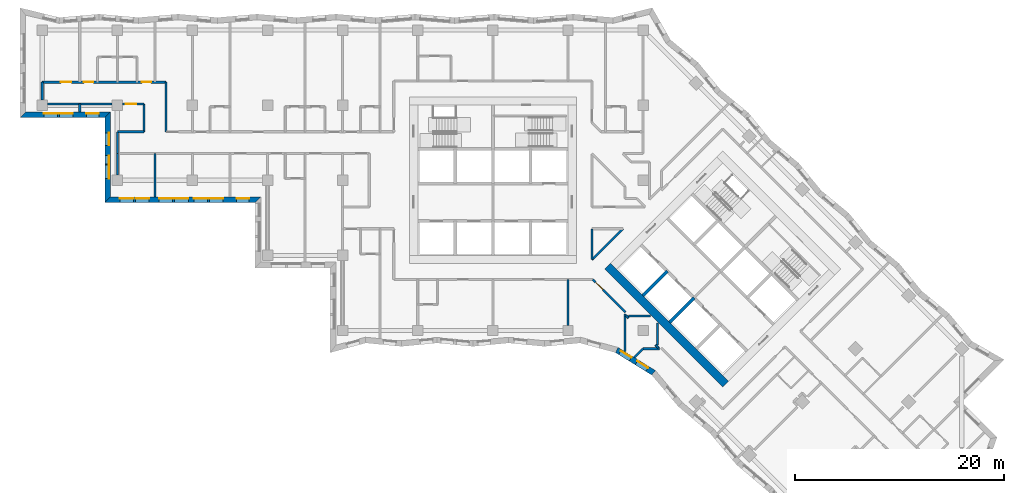
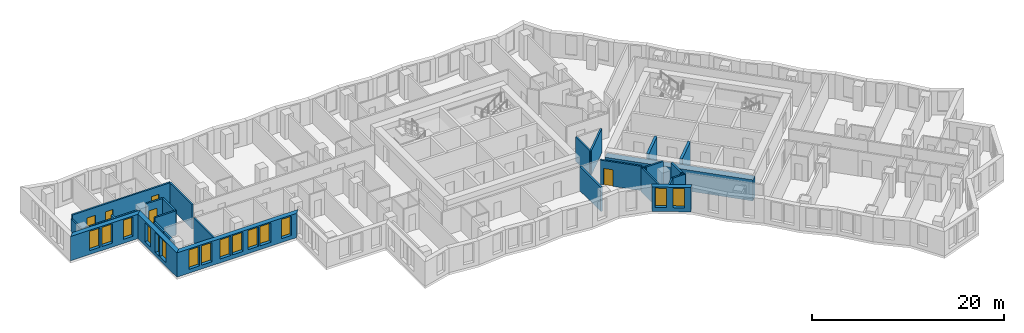
# One storey, part 3 of 12: 29 walls, 15 windows, 5 doors, 20 openings.
"""IFC4 building model written with IfcOpenShell, lengths in metres."""

from ifc_helpers import new_model, si_unit, direction, frame, frame_2d, origin, place, context, subcontext, project, spatial, polyline, rectangle, outline, extrude, material, layer, layer_set, type_object, element, fill, save


model = new_model("IFC4")

# Units and contexts
model_context = context("Model", 3, precision=1e-05, world=origin(), true_north=direction((0.0, 1.0)))
body_context = subcontext(model_context, "Body", "Model", "MODEL_VIEW")
ifc_project = project(units=[si_unit("LENGTHUNIT", "METRE"), si_unit("AREAUNIT", "SQUARE_METRE"), si_unit("VOLUMEUNIT", "CUBIC_METRE"), si_unit("PLANEANGLEUNIT", "RADIAN"), si_unit("MASSUNIT", "GRAM", prefix="KILO")], contexts=[model_context])

# Site, building, storey
site_placement = place(None, origin())
site = spatial("IfcSite", under=ifc_project, at=site_placement, CompositionType="ELEMENT")
building_placement = place(site_placement, origin())
building = spatial("IfcBuilding", under=site, at=building_placement, Name="Windrow Commons", CompositionType="ELEMENT")
storey_placement = place(building_placement, frame((0.0, 0.0, 84.6)))
storey = spatial("IfcBuildingStorey", under=building, at=storey_placement, Name="L22", CompositionType="ELEMENT", Elevation=84.6)

# Wall, openings, windows
ifc_material_1 = material(Name="Brick masonry, red clay brick", Category="masonry")
ifc_layer_1 = layer(ifc_material_1, 0.55)
ifc_layer_set_1 = layer_set([ifc_layer_1], Name="Brick facade wall 550")
wall_type_1 = type_object("IfcWallType", Name="Brick facade wall 550", PredefinedType="SOLIDWALL", material=ifc_layer_set_1)
wall_1_placement = place(storey_placement, frame((19.745, 63.875, 0.0), z_axis=(0.0, 0.0, 1.0), x_axis=(1.0, 0.0, 0.0)))
wall_1 = element("IfcWall", 1, at=wall_1_placement, inside=storey, type_object=wall_type_1, Name="Brick facade wall L22 38", PredefinedType="SOLIDWALL", context=body_context, shape_type="SweptSolid", body=[
    extrude(outline(polyline([(-0.275, -0.275), (7.855, -0.275), (8.405, 0.275), (0.275, 0.275), (-0.275, -0.275)])), origin(), (0.0, 0.0, 1.0), 3.1),
])
opening_1_placement = place(wall_1_placement, frame((2.005, 0.0, 0.5)))
opening_1 = element("IfcOpeningElement", 2, at=opening_1_placement, cuts=wall_1, Name="Opening W1P", PredefinedType="OPENING", context=body_context, shape_type="SweptSolid", body=[
    extrude(rectangle(XDim=1.3, YDim=2.45, at=frame_2d((0.65, 1.225))), frame((0.0, 0.285, 0.0), z_axis=(0.0, -1.0, 0.0), x_axis=(1.0, 0.0, 0.0)), (0.0, 0.0, 1.0), 0.57),
])
opening_2_placement = place(wall_1_placement, frame((3.505, 0.0, 0.5)))
opening_2 = element("IfcOpeningElement", 3, at=opening_2_placement, cuts=wall_1, Name="Opening W1P", PredefinedType="OPENING", context=body_context, shape_type="SweptSolid", body=[
    extrude(rectangle(XDim=1.3, YDim=2.45, at=frame_2d((0.65, 1.225))), frame((0.0, 0.285, 0.0), z_axis=(0.0, -1.0, 0.0), x_axis=(1.0, 0.0, 0.0)), (0.0, 0.0, 1.0), 0.57),
])
opening_3_placement = place(wall_1_placement, frame((6.0925, 0.0, 0.5)))
opening_3 = element("IfcOpeningElement", 4, at=opening_3_placement, cuts=wall_1, Name="Opening W7D", PredefinedType="OPENING", context=body_context, shape_type="SweptSolid", body=[
    extrude(rectangle(XDim=1.2, YDim=2.45, at=frame_2d((0.6, 1.225))), frame((0.0, 0.285, 0.0), z_axis=(0.0, -1.0, 0.0), x_axis=(1.0, 0.0, 0.0)), (0.0, 0.0, 1.0), 0.57),
])
ifc_material_2 = material(Name="Clear float glass in anodised aluminium frame", Category="aluminium")
window_type_1 = type_object("IfcWindowType", Name="Window W1P pair 1300x2450", PartitioningType="SINGLE_PANEL", PredefinedType="WINDOW", material=ifc_material_2)
window_1_placement = place(opening_1_placement, origin())
window_1 = element("IfcWindow", 5, at=window_1_placement, inside=storey, type_object=window_type_1, Name="Window L22 38.1A", OverallHeight=2.45, OverallWidth=1.3, PartitioningType="SINGLE_PANEL", PredefinedType="WINDOW", context=body_context, shape_type="SweptSolid", body=[
    extrude(rectangle(XDim=1.3, YDim=2.45, at=frame_2d((0.65, 1.225))), frame((0.0, 0.155, 0.0), z_axis=(0.0, -1.0, 0.0), x_axis=(1.0, 0.0, 0.0)), (0.0, 0.0, 1.0), 0.06),
])
fill(opening_1, window_1)
window_2_placement = place(opening_2_placement, origin())
window_2 = element("IfcWindow", 6, at=window_2_placement, inside=storey, type_object=window_type_1, Name="Window L22 38.1B", OverallHeight=2.45, OverallWidth=1.3, PartitioningType="SINGLE_PANEL", PredefinedType="WINDOW", context=body_context, shape_type="SweptSolid", body=[
    extrude(rectangle(XDim=1.3, YDim=2.45, at=frame_2d((0.65, 1.225))), frame((0.0, 0.155, 0.0), z_axis=(0.0, -1.0, 0.0), x_axis=(1.0, 0.0, 0.0)), (0.0, 0.0, 1.0), 0.06),
])
fill(opening_2, window_2)
ifc_material_3 = material(Name="Clear float glass in anodised aluminium frame", Category="aluminium")
window_type_2 = type_object("IfcWindowType", Name="Window W7 notch 1200x2450", PartitioningType="SINGLE_PANEL", PredefinedType="WINDOW", material=ifc_material_3)
window_3_placement = place(opening_3_placement, origin())
window_3 = element("IfcWindow", 7, at=window_3_placement, inside=storey, type_object=window_type_2, Name="Window L22 38.2", OverallHeight=2.45, OverallWidth=1.2, PartitioningType="SINGLE_PANEL", PredefinedType="WINDOW", context=body_context, shape_type="SweptSolid", body=[
    extrude(rectangle(XDim=1.2, YDim=2.45, at=frame_2d((0.6, 1.225))), frame((0.0, 0.155, 0.0), z_axis=(0.0, -1.0, 0.0), x_axis=(1.0, 0.0, 0.0)), (0.0, 0.0, 1.0), 0.06),
])
fill(opening_3, window_3)

wall_2_placement = place(storey_placement, frame((27.875, 63.875, 0.0), z_axis=(0.0, 0.0, 1.0), x_axis=(0.0, -1.0, 0.0)))
wall_2 = element("IfcWall", 8, at=wall_2_placement, inside=storey, type_object=wall_type_1, Name="Brick facade wall L22 39", PredefinedType="SOLIDWALL", context=body_context, shape_type="SweptSolid", body=[
    extrude(outline(polyline([(0.275, -0.275), (8.405, -0.275), (7.855, 0.275), (-0.275, 0.275), (0.275, -0.275)])), origin(), (0.0, 0.0, 1.0), 3.1),
])
opening_4_placement = place(wall_2_placement, frame((4.825, 0.0, 0.5)))
opening_4 = element("IfcOpeningElement", 9, at=opening_4_placement, cuts=wall_2, Name="Opening W1P", PredefinedType="OPENING", context=body_context, shape_type="SweptSolid", body=[
    extrude(rectangle(XDim=1.3, YDim=2.45, at=frame_2d((0.65, 1.225))), frame((0.0, 0.285, 0.0), z_axis=(0.0, -1.0, 0.0), x_axis=(1.0, 0.0, 0.0)), (0.0, 0.0, 1.0), 0.57),
])
opening_5_placement = place(wall_2_placement, frame((1.7375, 0.0, 0.5)))
opening_5 = element("IfcOpeningElement", 10, at=opening_5_placement, cuts=wall_2, Name="Opening W7D", PredefinedType="OPENING", context=body_context, shape_type="SweptSolid", body=[
    extrude(rectangle(XDim=1.2, YDim=2.45, at=frame_2d((0.6, 1.225))), frame((0.0, 0.285, 0.0), z_axis=(0.0, -1.0, 0.0), x_axis=(1.0, 0.0, 0.0)), (0.0, 0.0, 1.0), 0.57),
])
opening_6_placement = place(wall_2_placement, frame((3.9, 0.0, 0.45)))
opening_6 = element("IfcOpeningElement", 11, at=opening_6_placement, cuts=wall_2, Name="Opening W1N", PredefinedType="OPENING", context=body_context, shape_type="SweptSolid", body=[
    extrude(rectangle(XDim=0.8, YDim=2.5, at=frame_2d((0.4, 1.25))), frame((0.0, 0.285, 0.0), z_axis=(0.0, -1.0, 0.0), x_axis=(1.0, 0.0, 0.0)), (0.0, 0.0, 1.0), 0.57),
])
ifc_material_4 = material(Name="Clear float glass in anodised aluminium frame", Category="aluminium")
window_type_3 = type_object("IfcWindowType", Name="Window W1N slit 800x2500", PartitioningType="SINGLE_PANEL", PredefinedType="WINDOW", material=ifc_material_4)
window_4_placement = place(opening_6_placement, origin())
window_4 = element("IfcWindow", 12, at=window_4_placement, inside=storey, type_object=window_type_3, Name="Window L22 39.1AA", OverallHeight=2.5, OverallWidth=0.8, PartitioningType="SINGLE_PANEL", PredefinedType="WINDOW", context=body_context, shape_type="SweptSolid", body=[
    extrude(rectangle(XDim=0.8, YDim=2.5, at=frame_2d((0.4, 1.25))), frame((0.0, 0.155, 0.0), z_axis=(0.0, -1.0, 0.0), x_axis=(1.0, 0.0, 0.0)), (0.0, 0.0, 1.0), 0.06),
])
fill(opening_6, window_4)
window_5_placement = place(opening_4_placement, origin())
window_5 = element("IfcWindow", 13, at=window_5_placement, inside=storey, type_object=window_type_1, Name="Window L22 39.1B", OverallHeight=2.45, OverallWidth=1.3, PartitioningType="SINGLE_PANEL", PredefinedType="WINDOW", context=body_context, shape_type="SweptSolid", body=[
    extrude(rectangle(XDim=1.3, YDim=2.45, at=frame_2d((0.65, 1.225))), frame((0.0, 0.155, 0.0), z_axis=(0.0, -1.0, 0.0), x_axis=(1.0, 0.0, 0.0)), (0.0, 0.0, 1.0), 0.06),
])
fill(opening_4, window_5)
window_6_placement = place(opening_5_placement, origin())
window_6 = element("IfcWindow", 14, at=window_6_placement, inside=storey, type_object=window_type_2, Name="Window L22 39.2", OverallHeight=2.45, OverallWidth=1.2, PartitioningType="SINGLE_PANEL", PredefinedType="WINDOW", context=body_context, shape_type="SweptSolid", body=[
    extrude(rectangle(XDim=1.2, YDim=2.45, at=frame_2d((0.6, 1.225))), frame((0.0, 0.155, 0.0), z_axis=(0.0, -1.0, 0.0), x_axis=(1.0, 0.0, 0.0)), (0.0, 0.0, 1.0), 0.06),
])
fill(opening_5, window_6)

wall_3_placement = place(storey_placement, frame((27.875, 55.745, 0.0), z_axis=(0.0, 0.0, 1.0), x_axis=(1.0, 0.0, 0.0)))
wall_3 = element("IfcWall", 15, at=wall_3_placement, inside=storey, type_object=wall_type_1, Name="Brick facade wall L22 40", PredefinedType="SOLIDWALL", context=body_context, shape_type="SweptSolid", body=[
    extrude(outline(polyline([(-0.275, -0.275), (14.125, -0.275), (14.675, 0.275), (0.275, 0.275), (-0.275, -0.275)])), origin(), (0.0, 0.0, 1.0), 3.1),
])
opening_7_placement = place(wall_3_placement, frame((1.175, 0.0, 0.5)))
opening_7 = element("IfcOpeningElement", 16, at=opening_7_placement, cuts=wall_3, Name="Opening W1P", PredefinedType="OPENING", context=body_context, shape_type="SweptSolid", body=[
    extrude(rectangle(XDim=1.3, YDim=2.45, at=frame_2d((0.65, 1.225))), frame((0.0, 0.285, 0.0), z_axis=(0.0, -1.0, 0.0), x_axis=(1.0, 0.0, 0.0)), (0.0, 0.0, 1.0), 0.57),
])
opening_8_placement = place(wall_3_placement, frame((2.675, 0.0, 0.5)))
opening_8 = element("IfcOpeningElement", 17, at=opening_8_placement, cuts=wall_3, Name="Opening W1P", PredefinedType="OPENING", context=body_context, shape_type="SweptSolid", body=[
    extrude(rectangle(XDim=1.3, YDim=2.45, at=frame_2d((0.65, 1.225))), frame((0.0, 0.285, 0.0), z_axis=(0.0, -1.0, 0.0), x_axis=(1.0, 0.0, 0.0)), (0.0, 0.0, 1.0), 0.57),
])
opening_9_placement = place(wall_3_placement, frame((4.925, 0.0, 0.5)))
opening_9 = element("IfcOpeningElement", 18, at=opening_9_placement, cuts=wall_3, Name="Opening W1P", PredefinedType="OPENING", context=body_context, shape_type="SweptSolid", body=[
    extrude(rectangle(XDim=1.3, YDim=2.45, at=frame_2d((0.65, 1.225))), frame((0.0, 0.285, 0.0), z_axis=(0.0, -1.0, 0.0), x_axis=(1.0, 0.0, 0.0)), (0.0, 0.0, 1.0), 0.57),
])
opening_10_placement = place(wall_3_placement, frame((6.425, 0.0, 0.5)))
opening_10 = element("IfcOpeningElement", 19, at=opening_10_placement, cuts=wall_3, Name="Opening W1P", PredefinedType="OPENING", context=body_context, shape_type="SweptSolid", body=[
    extrude(rectangle(XDim=1.3, YDim=2.45, at=frame_2d((0.65, 1.225))), frame((0.0, 0.285, 0.0), z_axis=(0.0, -1.0, 0.0), x_axis=(1.0, 0.0, 0.0)), (0.0, 0.0, 1.0), 0.57),
])
opening_11_placement = place(wall_3_placement, frame((8.275, 0.0, 0.5)))
opening_11 = element("IfcOpeningElement", 20, at=opening_11_placement, cuts=wall_3, Name="Opening W1P", PredefinedType="OPENING", context=body_context, shape_type="SweptSolid", body=[
    extrude(rectangle(XDim=1.3, YDim=2.45, at=frame_2d((0.65, 1.225))), frame((0.0, 0.285, 0.0), z_axis=(0.0, -1.0, 0.0), x_axis=(1.0, 0.0, 0.0)), (0.0, 0.0, 1.0), 0.57),
])
opening_12_placement = place(wall_3_placement, frame((9.775, 0.0, 0.5)))
opening_12 = element("IfcOpeningElement", 21, at=opening_12_placement, cuts=wall_3, Name="Opening W1P", PredefinedType="OPENING", context=body_context, shape_type="SweptSolid", body=[
    extrude(rectangle(XDim=1.3, YDim=2.45, at=frame_2d((0.65, 1.225))), frame((0.0, 0.285, 0.0), z_axis=(0.0, -1.0, 0.0), x_axis=(1.0, 0.0, 0.0)), (0.0, 0.0, 1.0), 0.57),
])
opening_13_placement = place(wall_3_placement, frame((12.3625, 0.0, 0.5)))
opening_13 = element("IfcOpeningElement", 22, at=opening_13_placement, cuts=wall_3, Name="Opening W7D", PredefinedType="OPENING", context=body_context, shape_type="SweptSolid", body=[
    extrude(rectangle(XDim=1.2, YDim=2.45, at=frame_2d((0.6, 1.225))), frame((0.0, 0.285, 0.0), z_axis=(0.0, -1.0, 0.0), x_axis=(1.0, 0.0, 0.0)), (0.0, 0.0, 1.0), 0.57),
])
window_7_placement = place(opening_7_placement, origin())
window_7 = element("IfcWindow", 23, at=window_7_placement, inside=storey, type_object=window_type_1, Name="Window L22 40.1A", OverallHeight=2.45, OverallWidth=1.3, PartitioningType="SINGLE_PANEL", PredefinedType="WINDOW", context=body_context, shape_type="SweptSolid", body=[
    extrude(rectangle(XDim=1.3, YDim=2.45, at=frame_2d((0.65, 1.225))), frame((0.0, 0.155, 0.0), z_axis=(0.0, -1.0, 0.0), x_axis=(1.0, 0.0, 0.0)), (0.0, 0.0, 1.0), 0.06),
])
fill(opening_7, window_7)
window_8_placement = place(opening_8_placement, origin())
window_8 = element("IfcWindow", 24, at=window_8_placement, inside=storey, type_object=window_type_1, Name="Window L22 40.1B", OverallHeight=2.45, OverallWidth=1.3, PartitioningType="SINGLE_PANEL", PredefinedType="WINDOW", context=body_context, shape_type="SweptSolid", body=[
    extrude(rectangle(XDim=1.3, YDim=2.45, at=frame_2d((0.65, 1.225))), frame((0.0, 0.155, 0.0), z_axis=(0.0, -1.0, 0.0), x_axis=(1.0, 0.0, 0.0)), (0.0, 0.0, 1.0), 0.06),
])
fill(opening_8, window_8)
window_9_placement = place(opening_9_placement, origin())
window_9 = element("IfcWindow", 25, at=window_9_placement, inside=storey, type_object=window_type_1, Name="Window L22 40.2A", OverallHeight=2.45, OverallWidth=1.3, PartitioningType="SINGLE_PANEL", PredefinedType="WINDOW", context=body_context, shape_type="SweptSolid", body=[
    extrude(rectangle(XDim=1.3, YDim=2.45, at=frame_2d((0.65, 1.225))), frame((0.0, 0.155, 0.0), z_axis=(0.0, -1.0, 0.0), x_axis=(1.0, 0.0, 0.0)), (0.0, 0.0, 1.0), 0.06),
])
fill(opening_9, window_9)
window_10_placement = place(opening_10_placement, origin())
window_10 = element("IfcWindow", 26, at=window_10_placement, inside=storey, type_object=window_type_1, Name="Window L22 40.2B", OverallHeight=2.45, OverallWidth=1.3, PartitioningType="SINGLE_PANEL", PredefinedType="WINDOW", context=body_context, shape_type="SweptSolid", body=[
    extrude(rectangle(XDim=1.3, YDim=2.45, at=frame_2d((0.65, 1.225))), frame((0.0, 0.155, 0.0), z_axis=(0.0, -1.0, 0.0), x_axis=(1.0, 0.0, 0.0)), (0.0, 0.0, 1.0), 0.06),
])
fill(opening_10, window_10)
window_11_placement = place(opening_11_placement, origin())
window_11 = element("IfcWindow", 27, at=window_11_placement, inside=storey, type_object=window_type_1, Name="Window L22 40.3A", OverallHeight=2.45, OverallWidth=1.3, PartitioningType="SINGLE_PANEL", PredefinedType="WINDOW", context=body_context, shape_type="SweptSolid", body=[
    extrude(rectangle(XDim=1.3, YDim=2.45, at=frame_2d((0.65, 1.225))), frame((0.0, 0.155, 0.0), z_axis=(0.0, -1.0, 0.0), x_axis=(1.0, 0.0, 0.0)), (0.0, 0.0, 1.0), 0.06),
])
fill(opening_11, window_11)
window_12_placement = place(opening_12_placement, origin())
window_12 = element("IfcWindow", 28, at=window_12_placement, inside=storey, type_object=window_type_1, Name="Window L22 40.3B", OverallHeight=2.45, OverallWidth=1.3, PartitioningType="SINGLE_PANEL", PredefinedType="WINDOW", context=body_context, shape_type="SweptSolid", body=[
    extrude(rectangle(XDim=1.3, YDim=2.45, at=frame_2d((0.65, 1.225))), frame((0.0, 0.155, 0.0), z_axis=(0.0, -1.0, 0.0), x_axis=(1.0, 0.0, 0.0)), (0.0, 0.0, 1.0), 0.06),
])
fill(opening_12, window_12)
window_13_placement = place(opening_13_placement, origin())
window_13 = element("IfcWindow", 29, at=window_13_placement, inside=storey, type_object=window_type_2, Name="Window L22 40.4", OverallHeight=2.45, OverallWidth=1.2, PartitioningType="SINGLE_PANEL", PredefinedType="WINDOW", context=body_context, shape_type="SweptSolid", body=[
    extrude(rectangle(XDim=1.2, YDim=2.45, at=frame_2d((0.6, 1.225))), frame((0.0, 0.155, 0.0), z_axis=(0.0, -1.0, 0.0), x_axis=(1.0, 0.0, 0.0)), (0.0, 0.0, 1.0), 0.06),
])
fill(opening_13, window_13)

wall_4_placement = place(storey_placement, frame((76.6814, 41.3249, 0.0), z_axis=(0.0, 0.0, 1.0), x_axis=(0.8503819746, -0.5261658458, 0.0)))
wall_4 = element("IfcWall", 30, at=wall_4_placement, inside=storey, type_object=wall_type_1, Name="Brick facade wall L22 52", PredefinedType="SOLIDWALL", context=body_context, shape_type="SweptSolid", body=[
    extrude(outline(polyline([(0.04, -0.275), (4.0966, -0.275), (4.1838, 0.275), (-0.04, 0.275), (0.04, -0.275)])), origin(), (0.0, 0.0, 1.0), 3.1),
])
opening_14_placement = place(wall_4_placement, frame((0.3683, 0.0, 0.5)))
opening_14 = element("IfcOpeningElement", 31, at=opening_14_placement, cuts=wall_4, Name="Opening W7D", PredefinedType="OPENING", context=body_context, shape_type="SweptSolid", body=[
    extrude(rectangle(XDim=1.2, YDim=2.45, at=frame_2d((0.6, 1.225))), frame((0.0, 0.285, 0.0), z_axis=(0.0, -1.0, 0.0), x_axis=(1.0, 0.0, 0.0)), (0.0, 0.0, 1.0), 0.57),
])
opening_15_placement = place(wall_4_placement, frame((2.2384, 0.0, 0.5)))
opening_15 = element("IfcOpeningElement", 32, at=opening_15_placement, cuts=wall_4, Name="Opening W7D", PredefinedType="OPENING", context=body_context, shape_type="SweptSolid", body=[
    extrude(rectangle(XDim=1.2, YDim=2.45, at=frame_2d((0.6, 1.225))), frame((0.0, 0.285, 0.0), z_axis=(0.0, -1.0, 0.0), x_axis=(1.0, 0.0, 0.0)), (0.0, 0.0, 1.0), 0.57),
])
window_14_placement = place(opening_14_placement, origin())
window_14 = element("IfcWindow", 33, at=window_14_placement, inside=storey, type_object=window_type_2, Name="Window L22 52.1", OverallHeight=2.45, OverallWidth=1.2, PartitioningType="SINGLE_PANEL", PredefinedType="WINDOW", context=body_context, shape_type="SweptSolid", body=[
    extrude(rectangle(XDim=1.2, YDim=2.45, at=frame_2d((0.6, 1.225))), frame((0.0, 0.155, 0.0), z_axis=(0.0, -1.0, 0.0), x_axis=(1.0, 0.0, 0.0)), (0.0, 0.0, 1.0), 0.06),
])
fill(opening_14, window_14)
window_15_placement = place(opening_15_placement, origin())
window_15 = element("IfcWindow", 34, at=window_15_placement, inside=storey, type_object=window_type_2, Name="Window L22 52.2", OverallHeight=2.45, OverallWidth=1.2, PartitioningType="SINGLE_PANEL", PredefinedType="WINDOW", context=body_context, shape_type="SweptSolid", body=[
    extrude(rectangle(XDim=1.2, YDim=2.45, at=frame_2d((0.6, 1.225))), frame((0.0, 0.155, 0.0), z_axis=(0.0, -1.0, 0.0), x_axis=(1.0, 0.0, 0.0)), (0.0, 0.0, 1.0), 0.06),
])
fill(opening_15, window_15)

# Wall, openings, doors
ifc_material_5 = material(Name="Blockwork partition", Category="masonry")
ifc_layer_2 = layer(ifc_material_5, 0.2)
ifc_layer_set_2 = layer_set([ifc_layer_2], Name="IW-CORRIDOR-200")
wall_type_2 = type_object("IfcWallType", Name="IW-CORRIDOR-200", PredefinedType="PARTITIONING", material=ifc_layer_set_2)
wall_5_placement = place(storey_placement, frame((21.602, 67.0, 0.0), z_axis=(0.0, 0.0, 1.0), x_axis=(1.0, 0.0, 0.0)))
wall_5 = element("IfcWall", 35, at=wall_5_placement, inside=storey, type_object=wall_type_2, Name="W-L22-W005", PredefinedType="PARTITIONING", context=body_context, shape_type="SweptSolid", body=[
    extrude(rectangle(XDim=11.848, YDim=0.2, at=frame_2d((5.924, 0.0))), origin(), (0.0, 0.0, 1.0), 3.1),
])
opening_16_placement = place(wall_5_placement, frame((1.7907, 0.0, 0.0)))
opening_16 = element("IfcOpeningElement", 36, at=opening_16_placement, cuts=wall_5, Name="Opening D310F", PredefinedType="OPENING", context=body_context, shape_type="SweptSolid", body=[
    extrude(rectangle(XDim=1.0, YDim=2.1, at=frame_2d((0.5, 1.05))), frame((0.0, 0.11, 0.0), z_axis=(0.0, -1.0, 0.0), x_axis=(1.0, 0.0, 0.0)), (0.0, 0.0, 1.0), 0.22),
])
opening_17_placement = place(wall_5_placement, frame((3.998, 0.0, 0.0)))
opening_17 = element("IfcOpeningElement", 37, at=opening_17_placement, cuts=wall_5, Name="Opening D109S", PredefinedType="OPENING", context=body_context, shape_type="SweptSolid", body=[
    extrude(rectangle(XDim=0.9, YDim=2.1, at=frame_2d((0.45, 1.05))), frame((0.0, 0.11, 0.0), z_axis=(0.0, -1.0, 0.0), x_axis=(1.0, 0.0, 0.0)), (0.0, 0.0, 1.0), 0.22),
])
opening_18_placement = place(wall_5_placement, frame((9.548, 0.0, 0.0)))
opening_18 = element("IfcOpeningElement", 38, at=opening_18_placement, cuts=wall_5, Name="Opening D109S", PredefinedType="OPENING", context=body_context, shape_type="SweptSolid", body=[
    extrude(rectangle(XDim=0.9, YDim=2.1, at=frame_2d((0.45, 1.05))), frame((0.0, 0.11, 0.0), z_axis=(0.0, -1.0, 0.0), x_axis=(1.0, 0.0, 0.0)), (0.0, 0.0, 1.0), 0.22),
])
ifc_material_6 = material(Name="Timber door leaf", Category="wood")
door_type_1 = type_object("IfcDoorType", Name="DT-AMENITY-1000", OperationType="SINGLE_SWING_LEFT", PredefinedType="DOOR", material=ifc_material_6)
door_1_placement = place(opening_16_placement, origin())
door_1 = element("IfcDoor", 39, at=door_1_placement, inside=storey, type_object=door_type_1, Name="D-L22-D000", OperationType="SINGLE_SWING_RIGHT", OverallHeight=2.1, OverallWidth=1.0, PredefinedType="DOOR", context=body_context, shape_type="SweptSolid", body=[
    extrude(rectangle(XDim=1.0, YDim=2.1, at=frame_2d((0.5, 1.05))), frame((0.0, 0.025, 0.0), z_axis=(0.0, -1.0, 0.0), x_axis=(1.0, 0.0, 0.0)), (0.0, 0.0, 1.0), 0.05),
])
fill(opening_16, door_1)
ifc_material_7 = material(Name="Timber door leaf", Category="wood")
door_type_2 = type_object("IfcDoorType", Name="DT-BEDROOM-900", OperationType="SINGLE_SWING_LEFT", PredefinedType="DOOR", material=ifc_material_7)
door_2_placement = place(opening_17_placement, origin())
door_2 = element("IfcDoor", 40, at=door_2_placement, inside=storey, type_object=door_type_2, Name="D-L22-D002", OperationType="SINGLE_SWING_LEFT", OverallHeight=2.1, OverallWidth=0.9, PredefinedType="DOOR", context=body_context, shape_type="SweptSolid", body=[
    extrude(rectangle(XDim=0.9, YDim=2.1, at=frame_2d((0.45, 1.05))), frame((0.0, 0.025, 0.0), z_axis=(0.0, -1.0, 0.0), x_axis=(1.0, 0.0, 0.0)), (0.0, 0.0, 1.0), 0.05),
])
fill(opening_17, door_2)
door_3_placement = place(opening_18_placement, origin())
door_3 = element("IfcDoor", 41, at=door_3_placement, inside=storey, type_object=door_type_2, Name="D-L22-D004", OperationType="SINGLE_SWING_RIGHT", OverallHeight=2.1, OverallWidth=0.9, PredefinedType="DOOR", context=body_context, shape_type="SweptSolid", body=[
    extrude(rectangle(XDim=0.9, YDim=2.1, at=frame_2d((0.45, 1.05))), frame((0.0, 0.025, 0.0), z_axis=(0.0, -1.0, 0.0), x_axis=(1.0, 0.0, 0.0)), (0.0, 0.0, 1.0), 0.05),
])
fill(opening_18, door_3)

# Walls
wall_6_placement = place(storey_placement, frame((22.1, 64.9, 0.0), z_axis=(0.0, 0.0, 1.0), x_axis=(1.0, 0.0, 0.0)))
element("IfcWall", 42, at=wall_6_placement, inside=storey, type_object=wall_type_2, Name="W-L22-W027", PredefinedType="PARTITIONING", context=body_context, shape_type="SweptSolid", body=[
    extrude(rectangle(XDim=6.2, YDim=0.2, at=frame_2d((3.1, 0.0))), origin(), (0.0, 0.0, 1.0), 2.6),
])
wall_7_placement = place(storey_placement, frame((33.45, 62.252, 0.0), z_axis=(0.0, 0.0, 1.0), x_axis=(0.0, 1.0, 0.0)))
element("IfcWall", 43, at=wall_7_placement, inside=storey, type_object=wall_type_2, Name="W-L22-W042", PredefinedType="PARTITIONING", context=body_context, shape_type="SweptSolid", body=[
    extrude(rectangle(XDim=4.748, YDim=0.2, at=frame_2d((2.374, 0.0))), origin(), (0.0, 0.0, 1.0), 3.1),
])

# Wall, opening, door
wall_8_placement = place(storey_placement, frame((74.3885, 48.0965, 0.0), z_axis=(0.0, 0.0, 1.0), x_axis=(0.7071067812, -0.7071067812, 0.0)))
wall_8 = element("IfcWall", 44, at=wall_8_placement, inside=storey, type_object=wall_type_2, Name="W-L22-W043", PredefinedType="PARTITIONING", context=body_context, shape_type="SweptSolid", body=[
    extrude(rectangle(XDim=4.4519, YDim=0.2, at=frame_2d((2.226, 0.0))), origin(), (0.0, 0.0, 1.0), 3.1),
])
opening_19_placement = place(wall_8_placement, frame((0.3818, 0.0, 0.0)))
opening_19 = element("IfcOpeningElement", 45, at=opening_19_placement, cuts=wall_8, Name="Opening D310F", PredefinedType="OPENING", context=body_context, shape_type="SweptSolid", body=[
    extrude(rectangle(XDim=1.0, YDim=2.1, at=frame_2d((0.5, 1.05))), frame((0.0, 0.11, 0.0), z_axis=(0.0, -1.0, 0.0), x_axis=(1.0, 0.0, 0.0)), (0.0, 0.0, 1.0), 0.22),
])
door_4_placement = place(opening_19_placement, origin())
door_4 = element("IfcDoor", 46, at=door_4_placement, inside=storey, type_object=door_type_1, Name="D-L22-D037", OperationType="SINGLE_SWING_LEFT", OverallHeight=2.1, OverallWidth=1.0, PredefinedType="DOOR", context=body_context, shape_type="SweptSolid", body=[
    extrude(rectangle(XDim=1.0, YDim=2.1, at=frame_2d((0.5, 1.05))), frame((0.0, 0.025, 0.0), z_axis=(0.0, -1.0, 0.0), x_axis=(1.0, 0.0, 0.0)), (0.0, 0.0, 1.0), 0.05),
])
fill(opening_19, door_4)

# Walls
wall_9_placement = place(storey_placement, frame((74.3012, 49.9908, 0.0), z_axis=(0.0, 0.0, 1.0), x_axis=(0.7071067812, 0.7071067812, 0.0)))
element("IfcWall", 47, at=wall_9_placement, inside=storey, type_object=wall_type_2, Name="W-L22-W049", PredefinedType="PARTITIONING", context=body_context, shape_type="SweptSolid", body=[
    extrude(rectangle(XDim=4.1832, YDim=0.2, at=frame_2d((2.0916, 0.0))), origin(), (0.0, 0.0, 1.0), 3.1),
])
wall_10_placement = place(storey_placement, frame((74.3, 49.99, 0.0), z_axis=(0.0, 0.0, 1.0), x_axis=(0.0, 1.0, 0.0)))
element("IfcWall", 48, at=wall_10_placement, inside=storey, type_object=wall_type_2, Name="W-L22-W064", PredefinedType="PARTITIONING", context=body_context, shape_type="SweptSolid", body=[
    extrude(rectangle(XDim=2.96, YDim=0.2, at=frame_2d((1.48, 0.0))), origin(), (0.0, 0.0, 1.0), 3.1),
])
wall_11_placement = place(storey_placement, frame((31.35, 62.252, 0.0), z_axis=(0.0, 0.0, 1.0), x_axis=(0.0, 1.0, 0.0)))
element("IfcWall", 49, at=wall_11_placement, inside=storey, type_object=wall_type_2, Name="W-L22-W066", PredefinedType="PARTITIONING", context=body_context, shape_type="SweptSolid", body=[
    extrude(rectangle(XDim=2.646, YDim=0.2, at=frame_2d((1.323, 0.0))), origin(), (0.0, 0.0, 1.0), 3.1),
])
wall_12_placement = place(storey_placement, frame((28.802, 62.25, 0.0), z_axis=(0.0, 0.0, 1.0), x_axis=(1.0, 0.0, 0.0)))
element("IfcWall", 50, at=wall_12_placement, inside=storey, type_object=wall_type_2, Name="W-L22-W068", PredefinedType="PARTITIONING", context=body_context, shape_type="SweptSolid", body=[
    extrude(rectangle(XDim=2.546, YDim=0.2, at=frame_2d((1.273, 0.0))), origin(), (0.0, 0.0, 1.0), 3.1),
])
wall_13_placement = place(storey_placement, frame((28.8, 60.15, 0.0), z_axis=(0.0, 0.0, 1.0), x_axis=(0.0, 1.0, 0.0)))
element("IfcWall", 51, at=wall_13_placement, inside=storey, type_object=wall_type_2, Name="W-L22-W102", PredefinedType="PARTITIONING", context=body_context, shape_type="SweptSolid", body=[
    extrude(rectangle(XDim=2.1, YDim=0.2, at=frame_2d((1.05, 0.0))), origin(), (0.0, 0.0, 1.0), 2.6),
])
for number, where, z_axis, x_axis, name in (
    (52, (77.802, 44.6, 0.0), (0.0, 0.0, 1.0), (1.0, 0.0, 0.0), "W-L22-W106"),
    (53, (80.6, 41.802, 0.0), (0.0, 0.0, 1.0), (0.0, 1.0, 0.0), "W-L22-W107"),
):
    element("IfcWall", number, at=place(storey_placement, frame(where, z_axis=z_axis, x_axis=x_axis)), inside=storey, type_object=wall_type_2, Name=name, PredefinedType="PARTITIONING", context=body_context, shape_type="SweptSolid", body=[
        extrude(rectangle(XDim=2.098, YDim=0.2, at=frame_2d((1.049, 0.0))), origin(), (0.0, 0.0, 1.0), 3.1),
    ])

# Wall, opening, door
wall_14_placement = place(storey_placement, frame((29.3, 64.9, 0.0), z_axis=(0.0, 0.0, 1.0), x_axis=(1.0, 0.0, 0.0)))
wall_14 = element("IfcWall", 54, at=wall_14_placement, inside=storey, type_object=wall_type_2, Name="W-L22-W117", PredefinedType="PARTITIONING", context=body_context, shape_type="SweptSolid", body=[
    extrude(rectangle(XDim=2.048, YDim=0.2, at=frame_2d((1.024, 0.0))), origin(), (0.0, 0.0, 1.0), 3.1),
])
opening_20_placement = place(wall_14_placement, frame((0.3155, 0.0, 0.0)))
opening_20 = element("IfcOpeningElement", 55, at=opening_20_placement, cuts=wall_14, Name="Opening D310F", PredefinedType="OPENING", context=body_context, shape_type="SweptSolid", body=[
    extrude(rectangle(XDim=1.0, YDim=2.1, at=frame_2d((0.5, 1.05))), frame((0.0, 0.11, 0.0), z_axis=(0.0, -1.0, 0.0), x_axis=(1.0, 0.0, 0.0)), (0.0, 0.0, 1.0), 0.22),
])
door_5_placement = place(opening_20_placement, origin())
door_5 = element("IfcDoor", 56, at=door_5_placement, inside=storey, type_object=door_type_1, Name="D-L22-D001", OperationType="SINGLE_SWING_RIGHT", OverallHeight=2.1, OverallWidth=1.0, PredefinedType="DOOR", context=body_context, shape_type="SweptSolid", body=[
    extrude(rectangle(XDim=1.0, YDim=2.1, at=frame_2d((0.5, 1.05))), frame((0.0, 0.025, 0.0), z_axis=(0.0, -1.0, 0.0), x_axis=(1.0, 0.0, 0.0)), (0.0, 0.0, 1.0), 0.05),
])
fill(opening_20, door_5)

# Walls
wall_15_placement = place(storey_placement, frame((21.6, 65.3, 0.0), z_axis=(0.0, 0.0, 1.0), x_axis=(0.0, 1.0, 0.0)))
element("IfcWall", 57, at=wall_15_placement, inside=storey, type_object=wall_type_2, Name="W-L22-W141", PredefinedType="PARTITIONING", context=body_context, shape_type="SweptSolid", body=[
    extrude(rectangle(XDim=1.698, YDim=0.2, at=frame_2d((0.849, 0.0))), origin(), (0.0, 0.0, 1.0), 2.6),
])
for number, where, z_axis, x_axis, name in (
    (58, (77.5461, 44.6561, 0.0), (0.0, 0.0, 1.0), (0.7071067812, -0.7071067812, 0.0), "W-L22-W175"),
    (59, (80.4051, 41.7971, 0.0), (0.0, 0.0, 1.0), (0.7071067812, -0.7071067812, 0.0), "W-L22-W176"),
):
    element("IfcWall", number, at=place(storey_placement, frame(where, z_axis=z_axis, x_axis=x_axis)), inside=storey, type_object=wall_type_2, Name=name, PredefinedType="PARTITIONING", context=body_context, shape_type="SweptSolid", body=[
        extrude(rectangle(XDim=0.355, YDim=0.2, at=frame_2d((0.1775, 0.0))), origin(), (0.0, 0.0, 1.0), 3.1),
    ])
ifc_material_8 = material(Name="Blockwork partition", Category="masonry")
ifc_layer_3 = layer(ifc_material_8, 0.2)
ifc_layer_set_3 = layer_set([ifc_layer_3], Name="IW-PARTY-200")
wall_type_3 = type_object("IfcWallType", Name="IW-PARTY-200", PredefinedType="PARTITIONING", material=ifc_layer_set_3)
wall_16_placement = place(storey_placement, frame((72.0, 43.7, 0.0), z_axis=(0.0, 0.0, 1.0), x_axis=(0.0, 1.0, 0.0)))
element("IfcWall", 60, at=wall_16_placement, inside=storey, type_object=wall_type_3, Name="W-L22-W048", PredefinedType="PARTITIONING", context=body_context, shape_type="SweptSolid", body=[
    extrude(rectangle(XDim=4.4, YDim=0.2, at=frame_2d((2.2, 0.0))), origin(), (0.0, 0.0, 1.0), 3.1),
])
wall_17_placement = place(storey_placement, frame((32.4, 56.02, 0.0), z_axis=(0.0, 0.0, 1.0), x_axis=(0.0, 1.0, 0.0)))
element("IfcWall", 61, at=wall_17_placement, inside=storey, type_object=wall_type_3, Name="W-L22-W051", PredefinedType="PARTITIONING", context=body_context, shape_type="SweptSolid", body=[
    extrude(rectangle(XDim=4.13, YDim=0.2, at=frame_2d((2.065, 0.0))), origin(), (0.0, 0.0, 1.0), 3.1),
])
wall_18_placement = place(storey_placement, frame((77.45, 41.1727, 0.0), z_axis=(0.0, 0.0, 1.0), x_axis=(0.0, 1.0, 0.0)))
element("IfcWall", 62, at=wall_18_placement, inside=storey, type_object=wall_type_3, Name="W-L22-W060", PredefinedType="PARTITIONING", context=body_context, shape_type="SweptSolid", body=[
    extrude(rectangle(XDim=3.5853, YDim=0.2, at=frame_2d((1.7927, 0.0))), origin(), (0.0, 0.0, 1.0), 3.1),
])
wall_19_placement = place(storey_placement, frame((28.8, 58.1, 0.0), z_axis=(0.0, 0.0, 1.0), x_axis=(0.0, 1.0, 0.0)))
element("IfcWall", 63, at=wall_19_placement, inside=storey, type_object=wall_type_3, Name="W-L22-W110", PredefinedType="PARTITIONING", context=body_context, shape_type="SweptSolid", body=[
    extrude(rectangle(XDim=2.05, YDim=0.2, at=frame_2d((1.025, 0.0))), origin(), (0.0, 0.0, 1.0), 2.6),
])
wall_20_placement = place(storey_placement, frame((79.198, 41.45, 0.0), z_axis=(0.0, 0.0, 1.0), x_axis=(1.0, 0.0, 0.0)))
element("IfcWall", 64, at=wall_20_placement, inside=storey, type_object=wall_type_3, Name="W-L22-W143", PredefinedType="PARTITIONING", context=body_context, shape_type="SweptSolid", body=[
    extrude(rectangle(XDim=1.56, YDim=0.2, at=frame_2d((0.78, 0.0))), origin(), (0.0, 0.0, 1.0), 3.1),
])
wall_21_placement = place(storey_placement, frame((78.3569, 40.6116, 0.0), z_axis=(0.0, 0.0, 1.0), x_axis=(0.7071489323, 0.7070646275, 0.0)))
element("IfcWall", 65, at=wall_21_placement, inside=storey, type_object=wall_type_3, Name="W-L22-W151", PredefinedType="PARTITIONING", context=body_context, shape_type="SweptSolid", body=[
    extrude(rectangle(XDim=1.1862, YDim=0.2, at=frame_2d((0.5931, 0.0))), origin(), (0.0, 0.0, 1.0), 3.1),
])
wall_22_placement = place(storey_placement, frame((25.2, 64.15, 0.0), z_axis=(0.0, 0.0, 1.0), x_axis=(0.0, 1.0, 0.0)))
element("IfcWall", 66, at=wall_22_placement, inside=storey, type_object=wall_type_3, Name="W-L22-W156", PredefinedType="PARTITIONING", context=body_context, shape_type="SweptSolid", body=[
    extrude(rectangle(XDim=0.75, YDim=0.2, at=frame_2d((0.375, 0.0))), origin(), (0.0, 0.0, 1.0), 3.1),
])
ifc_material_9 = material(Name="Concrete C50/60", Category="concrete")
ifc_layer_4 = layer(ifc_material_9, 0.8)
ifc_layer_set_4 = layer_set([ifc_layer_4], Name="RC CORE WALL 800 C50/60")
wall_type_4 = type_object("IfcWallType", Name="RC CORE WALL 800 C50/60", PredefinedType="SHEAR", material=ifc_layer_set_4)
wall_23_placement = place(storey_placement, frame((75.8059, 49.3726, -0.3), z_axis=(0.0, 0.0, 1.0), x_axis=(0.7071067812, -0.7071067812, 0.0)))
element("IfcWall", 67, at=wall_23_placement, inside=storey, type_object=wall_type_4, Name="Core B wall outer-S", PredefinedType="SHEAR", context=body_context, shape_type="SweptSolid", body=[
    extrude(rectangle(XDim=16.0, YDim=0.8, at=frame_2d((8.0, 0.0))), origin(), (0.0, 0.0, 1.0), 2.7),
])
ifc_material_10 = material(Name="Concrete C50/60", Category="concrete")
ifc_layer_5 = layer(ifc_material_10, 0.3)
ifc_layer_set_5 = layer_set([ifc_layer_5], Name="RC SHAFT WALL 300 C50/60")
wall_type_5 = type_object("IfcWallType", Name="RC SHAFT WALL 300 C50/60", PredefinedType="SOLIDWALL", material=ifc_layer_set_5)
wall_24_placement = place(storey_placement, frame((79.2, 46.5442, 0.0), z_axis=(0.0, 0.0, 1.0), x_axis=(0.7071219326, 0.7070916295, 0.0)))
element("IfcWall", 68, at=wall_24_placement, inside=storey, type_object=wall_type_5, Name="Core B wall shaft-S1", PredefinedType="SOLIDWALL", context=body_context, shape_type="SweptSolid", body=[
    extrude(rectangle(XDim=3.3, YDim=0.3, at=frame_2d((1.65, 0.0))), origin(), (0.0, 0.0, 1.0), 3.1),
])
wall_25_placement = place(storey_placement, frame((81.7456, 43.9986, 0.0), z_axis=(0.0, 0.0, 1.0), x_axis=(0.7071067812, 0.7071067812, 0.0)))
element("IfcWall", 69, at=wall_25_placement, inside=storey, type_object=wall_type_5, Name="Core B wall shaft-S2", PredefinedType="SOLIDWALL", context=body_context, shape_type="SweptSolid", body=[
    extrude(rectangle(XDim=3.2999, YDim=0.3, at=frame_2d((1.65, 0.0))), origin(), (0.0, 0.0, 1.0), 3.1),
])

save(model, "model.ifc")
